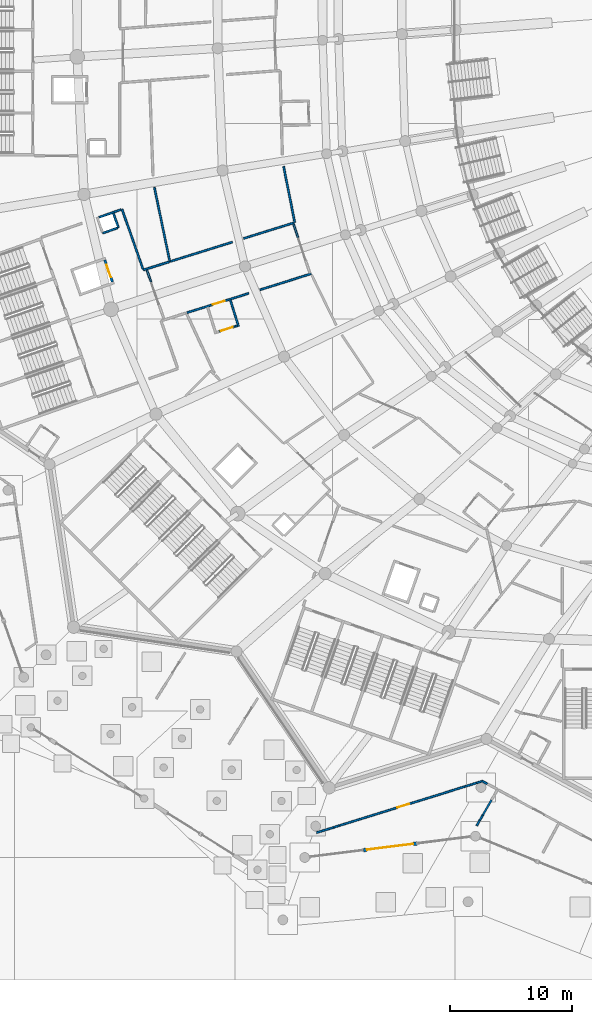
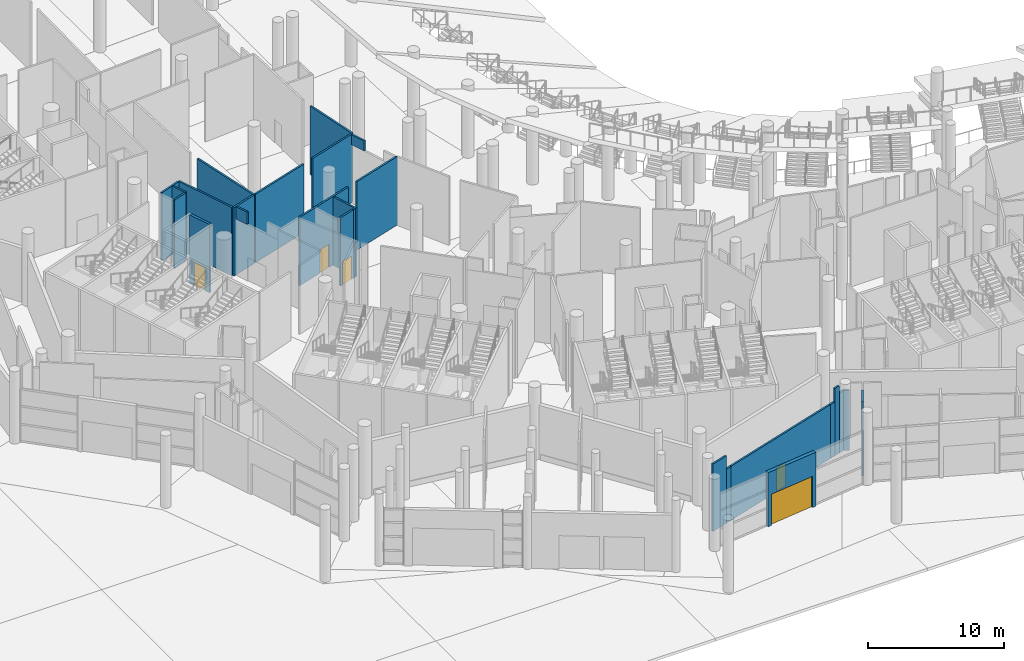
# One storey, part 103 of 255: 28 walls, 5 doors, 5 openings.
"""IFC4 building model written with IfcOpenShell, lengths in metres."""

from ifc_helpers import new_model, si_unit, direction, frame, frame_2d, origin, place, context, subcontext, project, spatial, rectangle, extrude, material, layer, layer_set, type_object, element, fill, save


model = new_model("IFC4")

# Units and contexts
model_context = context("Model", 3, precision=1e-05, world=origin(), true_north=direction((0.0, 1.0)))
body_context = subcontext(model_context, "Body", "Model", "MODEL_VIEW")
ifc_project = project(units=[si_unit("LENGTHUNIT", "METRE"), si_unit("AREAUNIT", "SQUARE_METRE"), si_unit("VOLUMEUNIT", "CUBIC_METRE"), si_unit("PLANEANGLEUNIT", "RADIAN"), si_unit("MASSUNIT", "GRAM", prefix="KILO")], contexts=[model_context])

# Site, building, storey
site_placement = place(None, origin())
site = spatial("IfcSite", under=ifc_project, at=site_placement, CompositionType="ELEMENT")
building_placement = place(site_placement, origin())
building = spatial("IfcBuilding", under=site, at=building_placement, Name="Meseta Stadium", CompositionType="ELEMENT")
storey_placement = place(building_placement, origin())
storey = spatial("IfcBuildingStorey", under=building, at=storey_placement, Name="L00", CompositionType="ELEMENT", Elevation=0.0)

# Wall, opening, door
ifc_material_1 = material(Name="Concrete C40/50", Category="concrete")
ifc_layer_1 = layer(ifc_material_1, 0.199951171875)
ifc_layer_set_1 = layer_set([ifc_layer_1], Name="Core shaft wall 200")
wall_type_1 = type_object("IfcWallType", Name="Core shaft wall 200", PredefinedType="SHEAR", material=ifc_layer_set_1)
wall_1_placement = place(storey_placement, frame((-82.62939453125, -59.162109375, 0.0), z_axis=(0.0, 0.0, 1.0), x_axis=(0.330224505327, -0.943902418729, 0.0)))
wall_1 = element("IfcWall", 1, at=wall_1_placement, inside=storey, type_object=wall_type_1, Name="Core 20 L00 lift shaft front wall", PredefinedType="SHEAR", context=body_context, shape_type="SweptSolid", body=[
    extrude(rectangle(XDim=1.900146484375, YDim=0.199951171875, at=frame_2d((0.9501953125, 0.0))), origin(), (0.0, 0.0, 1.0), 6.14990234375),
])
opening_1_placement = place(wall_1_placement, frame((0.39990234375, 0.0, 0.0)))
opening_1 = element("IfcOpeningElement", 2, at=opening_1_placement, cuts=wall_1, Name="Opening LD110", PredefinedType="OPENING", context=body_context, shape_type="SweptSolid", body=[
    extrude(rectangle(XDim=1.10009765625, YDim=2.10009765625, at=frame_2d((0.550048828125, 1.050048828125))), frame((0.0, 0.10986328125, 0.0), z_axis=(0.0, -1.0, 0.0), x_axis=(1.0, 0.0, 0.0)), (0.0, 0.0, 1.0), 0.219970703125),
])
ifc_material_2 = material(Name="Steel", Category="steel")
door_type_1 = type_object("IfcDoorType", Name="Lift landing door 1100x2100", OperationType="SLIDING_TO_LEFT", PredefinedType="DOOR", material=ifc_material_2)
door_1_placement = place(opening_1_placement, origin())
door_1 = element("IfcDoor", 3, at=door_1_placement, inside=storey, type_object=door_type_1, Name="Lift landing door LD110", OperationType="SLIDING_TO_RIGHT", OverallHeight=2.10009765625, OverallWidth=1.10009765625, PredefinedType="DOOR", context=body_context, shape_type="SweptSolid", body=[
    extrude(rectangle(XDim=1.10009765625, YDim=2.10009765625, at=frame_2d((0.550048828125, 1.050048828125))), frame((0.0, 0.02490234375, 0.0), z_axis=(0.0, -1.0, 0.0), x_axis=(1.0, 0.0, 0.0)), (0.0, 0.0, 1.0), 0.050048828125),
])
fill(opening_1, door_1)

# Walls
ifc_material_3 = material(Name="Masonry blockwork", Category="masonry")
ifc_layer_2 = layer(ifc_material_3, 0.14990234375)
ifc_layer_set_2 = layer_set([ifc_layer_2], Name="Partition 150")
wall_type_2 = type_object("IfcWallType", Name="Partition 150", PredefinedType="PARTITIONING", material=ifc_layer_set_2)
wall_2_placement = place(storey_placement, frame((-77.314453125, -59.29833984375, 0.0), z_axis=(0.0, 0.0, 1.0), x_axis=(-0.202912951915, 0.979196779991, 0.0)))
element("IfcWall", 4, at=wall_2_placement, inside=storey, type_object=wall_type_2, Name="Partition L00 L00-cell18-1-0", PredefinedType="PARTITIONING", context=body_context, shape_type="SweptSolid", body=[
    extrude(rectangle(XDim=6.19873046875, YDim=0.14990234375, at=frame_2d((3.099365234375, 0.0))), origin(), (0.0, 0.0, 1.0), 6.14990234375),
])
wall_3_placement = place(storey_placement, frame((-68.01416015625, -51.51806640625, 0.0), z_axis=(0.0, 0.0, 1.0), x_axis=(0.194848838481, -0.980833283562, 0.0)))
element("IfcWall", 5, at=wall_3_placement, inside=storey, type_object=wall_type_2, Name="Partition L00 L00-cell18-1-0", PredefinedType="PARTITIONING", context=body_context, shape_type="SweptSolid", body=[
    extrude(rectangle(XDim=4.668701171875, YDim=0.14990234375, at=frame_2d((2.33447265625, 0.0))), origin(), (0.0, 0.0, 1.0), 6.14990234375),
])
wall_4_placement = place(storey_placement, frame((-67.176513671875, -56.11962890625, 0.0), z_axis=(0.0, 0.0, 1.0), x_axis=(-0.954194783193, -0.299186088795, 0.0)))
element("IfcWall", 6, at=wall_4_placement, inside=storey, type_object=wall_type_2, Name="Partition L00 L00-cell18-1-0", PredefinedType="PARTITIONING", context=body_context, shape_type="SweptSolid", body=[
    extrude(rectangle(XDim=4.302001953125, YDim=0.14990234375, at=frame_2d((2.15087890625, 0.0))), origin(), (0.0, 0.0, 1.0), 6.14990234375),
])
wall_5_placement = place(storey_placement, frame((-72.209716796875, -57.69775390625, 0.0), z_axis=(0.0, 0.0, 1.0), x_axis=(-0.954205312056, -0.299152507001, 0.0)))
element("IfcWall", 7, at=wall_5_placement, inside=storey, type_object=wall_type_2, Name="Partition L00 L00-cell18-1-0", PredefinedType="PARTITIONING", context=body_context, shape_type="SweptSolid", body=[
    extrude(rectangle(XDim=5.2744140625, YDim=0.14990234375, at=frame_2d((2.63720703125, 0.0))), origin(), (0.0, 0.0, 1.0), 6.14990234375),
])
wall_6_placement = place(storey_placement, frame((-77.3623046875, -59.313232421875, 0.0), z_axis=(0.0, 0.0, 1.0), x_axis=(-0.954198139725, -0.299175383588, 0.0)))
element("IfcWall", 8, at=wall_6_placement, inside=storey, type_object=wall_type_2, Name="Partition L00 L00-cell18-2-0", PredefinedType="PARTITIONING", context=body_context, shape_type="SweptSolid", body=[
    extrude(rectangle(XDim=2.222900390625, YDim=0.14990234375, at=frame_2d((1.111328125, 0.0))), origin(), (0.0, 0.0, 1.0), 6.14990234375),
])
wall_7_placement = place(storey_placement, frame((-79.508056640625, -59.907470703125, 0.0), z_axis=(0.0, 0.0, 1.0), x_axis=(-0.330291692253, 0.943878910681, 0.0)))
element("IfcWall", 9, at=wall_7_placement, inside=storey, type_object=wall_type_2, Name="Partition L00 L00-cell18-2-0", PredefinedType="PARTITIONING", context=body_context, shape_type="SweptSolid", body=[
    extrude(rectangle(XDim=5.1845703125, YDim=0.14990234375, at=frame_2d((2.59228515625, 0.0))), origin(), (0.0, 0.0, 1.0), 6.14990234375),
])
wall_8_placement = place(storey_placement, frame((-81.291259765625, -55.038818359375, 0.0), z_axis=(0.0, 0.0, 1.0), x_axis=(-0.943910062753, -0.330202655097, 0.0)))
element("IfcWall", 10, at=wall_8_placement, inside=storey, type_object=wall_type_2, Name="Partition L00 L00-cell18-2-0", PredefinedType="PARTITIONING", context=body_context, shape_type="SweptSolid", body=[
    extrude(rectangle(XDim=1.91357421875, YDim=0.14990234375, at=frame_2d((0.956787109375, 0.0))), origin(), (0.0, 0.0, 1.0), 6.14990234375),
])

# Wall, opening, door
wall_9_placement = place(storey_placement, frame((-75.896484375, -63.46484375, 0.0), z_axis=(0.0, 0.0, 1.0), x_axis=(0.954206671626, 0.29914817035, 0.0)))
wall_9 = element("IfcWall", 11, at=wall_9_placement, inside=storey, type_object=wall_type_2, Name="Partition L00 L00-cell19-1-0", PredefinedType="PARTITIONING", context=body_context, shape_type="SweptSolid", body=[
    extrude(rectangle(XDim=5.268798828125, YDim=0.14990234375, at=frame_2d((2.63427734375, 0.0))), origin(), (0.0, 0.0, 1.0), 6.14990234375),
])
opening_2_placement = place(wall_9_placement, frame((2.199951171875, 0.0, 0.0)))
opening_2 = element("IfcOpeningElement", 12, at=opening_2_placement, cuts=wall_9, Name="Opening D591", PredefinedType="OPENING", context=body_context, shape_type="SweptSolid", body=[
    extrude(rectangle(XDim=1.0, YDim=2.10009765625, at=frame_2d((0.5, 1.050048828125))), frame((0.0, 0.0849609375, 0.0), z_axis=(0.0, -1.0, 0.0), x_axis=(1.0, 0.0, 0.0)), (0.0, 0.0, 1.0), 0.169921875),
])
ifc_material_4 = material(Name="Steel", Category="steel")
door_type_2 = type_object("IfcDoorType", Name="Fire door 1000x2100 EI2 60", OperationType="NOTDEFINED", PredefinedType="DOOR", material=ifc_material_4)
door_2_placement = place(opening_2_placement, origin())
door_2 = element("IfcDoor", 13, at=door_2_placement, inside=storey, type_object=door_type_2, Name="Door D591", OperationType="SINGLE_SWING_LEFT", OverallHeight=2.10009765625, OverallWidth=1.0, PredefinedType="DOOR", context=body_context, shape_type="SweptSolid", body=[
    extrude(rectangle(XDim=1.0, YDim=2.10009765625, at=frame_2d((0.5, 1.050048828125))), frame((0.0, 0.02490234375, 0.0), z_axis=(0.0, -1.0, 0.0), x_axis=(1.0, 0.0, 0.0)), (0.0, 0.0, 1.0), 0.050048828125),
])
fill(opening_2, door_2)

# Walls
wall_10_placement = place(storey_placement, frame((-69.941650390625, -61.597900390625, 0.0), z_axis=(0.0, 0.0, 1.0), x_axis=(0.954192437986, 0.299193568262, 0.0)))
element("IfcWall", 14, at=wall_10_placement, inside=storey, type_object=wall_type_2, Name="Partition L00 L00-cell19-1-0", PredefinedType="PARTITIONING", context=body_context, shape_type="SweptSolid", body=[
    extrude(rectangle(XDim=4.372802734375, YDim=0.14990234375, at=frame_2d((2.1865234375, 0.0))), origin(), (0.0, 0.0, 1.0), 6.14990234375),
])
for number, where, z_axis, x_axis, name in (
    (15, (-52.232421875, -105.38037109375, 0.0), (0.0, 0.0, 1.0), (0.499968438888, 0.866043624834, 0.0), "Partition L00 L00-ring21-0b1"),
    (16, (-51.989013671875, -104.958740234375, 0.0), (0.0, 0.0, 1.0), (0.500937435961, 0.865483497967, 0.0), "Partition L00 L00-ring21-0b1"),
):
    element("IfcWall", number, at=place(storey_placement, frame(where, z_axis=z_axis, x_axis=x_axis)), inside=storey, type_object=wall_type_2, Name=name, PredefinedType="PARTITIONING", context=body_context, shape_type="SweptSolid", body=[
        extrude(rectangle(XDim=0.48681640625, YDim=0.14990234375, at=frame_2d((0.243408203125, 0.0))), origin(), (0.0, 0.0, 1.0), 5.39990234375),
    ])
wall_11_placement = place(storey_placement, frame((-51.7451171875, -104.537353515625, 0.0), z_axis=(0.0, 0.0, 1.0), x_axis=(0.50036393874, 0.865815181669, 0.0)))
element("IfcWall", 17, at=wall_11_placement, inside=storey, type_object=wall_type_2, Name="Partition L00 L00-ring21-0b1", PredefinedType="PARTITIONING", context=body_context, shape_type="SweptSolid", body=[
    extrude(rectangle(XDim=1.46044921875, YDim=0.14990234375, at=frame_2d((0.730224609375, 0.0))), origin(), (0.0, 0.0, 1.0), 6.050048828125),
])
wall_12_placement = place(storey_placement, frame((-65.31591796875, -105.958984375, 0.0), z_axis=(0.0, 0.0, 1.0), x_axis=(0.954867270895, 0.297032818008, 0.0)))
element("IfcWall", 18, at=wall_12_placement, inside=storey, type_object=wall_type_2, Name="Partition L00 L00-ring21-0w", PredefinedType="PARTITIONING", context=body_context, shape_type="SweptSolid", body=[
    extrude(rectangle(XDim=1.46630859375, YDim=0.14990234375, at=frame_2d((0.733154296875, 0.0))), origin(), (0.0, 0.0, 1.0), 6.050048828125),
])
wall_13_placement = place(storey_placement, frame((-63.915771484375, -105.5234375, 0.0), z_axis=(0.0, 0.0, 1.0), x_axis=(0.954976336525, 0.296681979025, 0.0)))
element("IfcWall", 19, at=wall_13_placement, inside=storey, type_object=wall_type_2, Name="Partition L00 L00-ring21-0w", PredefinedType="PARTITIONING", context=body_context, shape_type="SweptSolid", body=[
    extrude(rectangle(XDim=0.48876953125, YDim=0.14990234375, at=frame_2d((0.244384765625, 0.0))), origin(), (0.0, 0.0, 1.0), 4.85009765625),
])

# Wall, opening, door
wall_14_placement = place(storey_placement, frame((-63.448974609375, -105.37841796875, 0.0), z_axis=(0.0, 0.0, 1.0), x_axis=(0.954916863786, 0.29687334548, 0.0)))
wall_14 = element("IfcWall", 20, at=wall_14_placement, inside=storey, type_object=wall_type_2, Name="Partition L00 L00-ring21-0w", PredefinedType="PARTITIONING", context=body_context, shape_type="SweptSolid", body=[
    extrude(rectangle(XDim=10.75341796875, YDim=0.14990234375, at=frame_2d((5.376708984375, 0.0))), origin(), (0.0, 0.0, 1.0), 4.85009765625),
])
opening_3_placement = place(wall_14_placement, frame((4.949951171875, 0.0, 0.0)))
opening_3 = element("IfcOpeningElement", 21, at=opening_3_placement, cuts=wall_14, Name="Opening D634", PredefinedType="OPENING", context=body_context, shape_type="SweptSolid", body=[
    extrude(rectangle(XDim=1.0, YDim=2.10009765625, at=frame_2d((0.5, 1.050048828125))), frame((0.0, 0.0849609375, 0.0), z_axis=(0.0, -1.0, 0.0), x_axis=(1.0, 0.0, 0.0)), (0.0, 0.0, 1.0), 0.169921875),
])
ifc_material_5 = material(Name="Timber", Category="wood")
door_type_3 = type_object("IfcDoorType", Name="Room door 1000x2100", OperationType="NOTDEFINED", PredefinedType="DOOR", material=ifc_material_5)
door_3_placement = place(opening_3_placement, origin())
door_3 = element("IfcDoor", 22, at=door_3_placement, inside=storey, type_object=door_type_3, Name="Door D634", OperationType="SINGLE_SWING_RIGHT", OverallHeight=2.10009765625, OverallWidth=1.0, PredefinedType="DOOR", context=body_context, shape_type="SweptSolid", body=[
    extrude(rectangle(XDim=1.0, YDim=2.10009765625, at=frame_2d((0.5, 1.050048828125))), frame((0.0, 0.02490234375, 0.0), z_axis=(0.0, -1.0, 0.0), x_axis=(1.0, 0.0, 0.0)), (0.0, 0.0, 1.0), 0.050048828125),
])
fill(opening_3, door_3)

# Walls
wall_15_placement = place(storey_placement, frame((-53.180419921875, -102.18603515625, 0.0), z_axis=(0.0, 0.0, 1.0), x_axis=(0.954976336525, 0.296681979025, 0.0)))
element("IfcWall", 23, at=wall_15_placement, inside=storey, type_object=wall_type_2, Name="Partition L00 L00-ring21-0w", PredefinedType="PARTITIONING", context=body_context, shape_type="SweptSolid", body=[
    extrude(rectangle(XDim=0.48876953125, YDim=0.14990234375, at=frame_2d((0.244384765625, 0.0))), origin(), (0.0, 0.0, 1.0), 4.85009765625),
])
wall_16_placement = place(storey_placement, frame((-52.713623046875, -102.041015625, 0.0), z_axis=(0.0, 0.0, 1.0), x_axis=(0.954976336525, 0.296681979025, 0.0)))
element("IfcWall", 24, at=wall_16_placement, inside=storey, type_object=wall_type_2, Name="Partition L00 L00-ring21-0w", PredefinedType="PARTITIONING", context=body_context, shape_type="SweptSolid", body=[
    extrude(rectangle(XDim=0.48876953125, YDim=0.14990234375, at=frame_2d((0.244384765625, 0.0))), origin(), (0.0, 0.0, 1.0), 6.050048828125),
])
wall_17_placement = place(storey_placement, frame((-52.246826171875, -101.89599609375, 0.0), z_axis=(0.0, 0.0, 1.0), x_axis=(0.954834738461, 0.297137379385, 0.0)))
element("IfcWall", 25, at=wall_17_placement, inside=storey, type_object=wall_type_2, Name="Partition L00 L00-ring21-0w", PredefinedType="PARTITIONING", context=body_context, shape_type="SweptSolid", body=[
    extrude(rectangle(XDim=0.48876953125, YDim=0.14990234375, at=frame_2d((0.244384765625, 0.0))), origin(), (0.0, 0.0, 1.0), 5.39990234375),
])
wall_18_placement = place(storey_placement, frame((-51.780029296875, -101.750732421875, 0.0), z_axis=(0.0, 0.0, 1.0), x_axis=(0.879012934335, -0.476797924988, 0.0)))
element("IfcWall", 26, at=wall_18_placement, inside=storey, type_object=wall_type_2, Name="Partition L00 L00-ring21-0w", PredefinedType="PARTITIONING", context=body_context, shape_type="SweptSolid", body=[
    extrude(rectangle(XDim=0.458251953125, YDim=0.14990234375, at=frame_2d((0.22900390625, 0.0))), origin(), (0.0, 0.0, 1.0), 5.39990234375),
])
wall_19_placement = place(storey_placement, frame((-82.78857421875, -56.96630859375, 0.0), z_axis=(0.0, 0.0, 1.0), x_axis=(0.943927004722, 0.330154221169, 0.0)))
element("IfcWall", 27, at=wall_19_placement, inside=storey, type_object=wall_type_2, Name="Pressurisation shaft wall L00 core 20", PredefinedType="PARTITIONING", context=body_context, shape_type="SweptSolid", body=[
    extrude(rectangle(XDim=1.27490234375, YDim=0.14990234375, at=frame_2d((0.637451171875, 0.0))), origin(), (0.0, 0.0, 1.0), 6.14990234375),
])
wall_20_placement = place(storey_placement, frame((-81.514404296875, -56.5205078125, 0.0), z_axis=(0.0, 0.0, 1.0), x_axis=(-0.33032430547, 0.943867497701, 0.0)))
element("IfcWall", 28, at=wall_20_placement, inside=storey, type_object=wall_type_2, Name="Pressurisation shaft wall L00 core 20", PredefinedType="PARTITIONING", context=body_context, shape_type="SweptSolid", body=[
    extrude(rectangle(XDim=1.2490234375, YDim=0.14990234375, at=frame_2d((0.62451171875, 0.0))), origin(), (0.0, 0.0, 1.0), 6.14990234375),
])
wall_21_placement = place(storey_placement, frame((-72.367431640625, -62.43701171875, 0.0), z_axis=(0.0, 0.0, 1.0), x_axis=(0.299152185908, -0.954205412721, 0.0)))
element("IfcWall", 29, at=wall_21_placement, inside=storey, type_object=wall_type_2, Name="Partition L00 L00-cell19-1-0 vestibule", PredefinedType="PARTITIONING", context=body_context, shape_type="SweptSolid", body=[
    extrude(rectangle(XDim=2.25, YDim=0.14990234375, at=frame_2d((1.125, 0.0))), origin(), (0.0, 0.0, 1.0), 6.14990234375),
])

# Wall, opening, door
wall_22_placement = place(storey_placement, frame((-73.315185546875, -65.013427734375, 0.0), z_axis=(0.0, 0.0, 1.0), x_axis=(0.954231413478, 0.299069238691, 0.0)))
wall_22 = element("IfcWall", 30, at=wall_22_placement, inside=storey, type_object=wall_type_2, Name="Partition L00 L00-cell19-1-0 vestibule", PredefinedType="PARTITIONING", context=body_context, shape_type="SweptSolid", body=[
    extrude(rectangle(XDim=1.39990234375, YDim=0.14990234375, at=frame_2d((0.699951171875, 0.0))), origin(), (0.0, 0.0, 1.0), 6.14990234375),
])
opening_4_placement = place(wall_22_placement, frame((0.199951171875, 0.0, 0.0)))
opening_4 = element("IfcOpeningElement", 31, at=opening_4_placement, cuts=wall_22, Name="Opening D855", PredefinedType="OPENING", context=body_context, shape_type="SweptSolid", body=[
    extrude(rectangle(XDim=1.0, YDim=2.10009765625, at=frame_2d((0.5, 1.050048828125))), frame((0.0, 0.0849609375, 0.0), z_axis=(0.0, -1.0, 0.0), x_axis=(1.0, 0.0, 0.0)), (0.0, 0.0, 1.0), 0.169921875),
])
door_4_placement = place(opening_4_placement, origin())
door_4 = element("IfcDoor", 32, at=door_4_placement, inside=storey, type_object=door_type_2, Name="Vestibule door L00 L00-cell19-1-0", OperationType="SINGLE_SWING_LEFT", OverallHeight=2.10009765625, OverallWidth=1.0, PredefinedType="DOOR", context=body_context, shape_type="SweptSolid", body=[
    extrude(rectangle(XDim=1.0, YDim=2.10009765625, at=frame_2d((0.5, 1.050048828125))), frame((0.0, 0.02490234375, 0.0), z_axis=(0.0, -1.0, 0.0), x_axis=(1.0, 0.0, 0.0)), (0.0, 0.0, 1.0), 0.050048828125),
])
fill(opening_4, door_4)

# Walls
wall_23_placement = place(storey_placement, frame((-71.979248046875, -64.5947265625, 0.0), z_axis=(0.0, 0.0, 1.0), x_axis=(0.954262592634, 0.298969738101, 0.0)))
element("IfcWall", 33, at=wall_23_placement, inside=storey, type_object=wall_type_2, Name="Partition L00 L00-cell19-1-0 vestibule", PredefinedType="PARTITIONING", context=body_context, shape_type="SweptSolid", body=[
    extrude(rectangle(XDim=0.199951171875, YDim=0.14990234375, at=frame_2d((0.10009765625, 0.0))), origin(), (0.0, 0.0, 1.0), 6.14990234375),
])
wall_24_placement = place(storey_placement, frame((-79.19482421875, -59.97021484375, 5.050048828125), z_axis=(0.0, 0.0, 1.0), x_axis=(0.330310872881, -0.943872198582, 0.0)))
element("IfcWall", 34, at=wall_24_placement, inside=storey, type_object=wall_type_2, Name="Escape corridor sector wall L00 core 20", PredefinedType="PARTITIONING", context=body_context, shape_type="SweptSolid", body=[
    extrude(rectangle(XDim=1.099853515625, YDim=0.14990234375, at=frame_2d((0.5498046875, 0.0))), origin(), (0.0, 0.0, 1.0), 1.099853515625),
])
wall_25_placement = place(storey_placement, frame((-67.205810546875, -56.20947265625, 5.25), z_axis=(0.0, 0.0, 1.0), x_axis=(0.314934829508, -0.949113298381, 0.0)))
element("IfcWall", 35, at=wall_25_placement, inside=storey, type_object=wall_type_2, Name="Escape corridor discharge wall L00 core 20", PredefinedType="PARTITIONING", context=body_context, shape_type="SweptSolid", body=[
    extrude(rectangle(XDim=1.24658203125, YDim=0.14990234375, at=frame_2d((0.623291015625, 0.0))), origin(), (0.0, 0.0, 1.0), 0.89990234375),
])

# Wall, opening, door
ifc_material_6 = material(Name="Precast concrete C40/50", Category="concrete")
ifc_layer_3 = layer(ifc_material_6, 0.300048828125)
ifc_layer_set_3 = layer_set([ifc_layer_3], Name="Ring facade panel wall 300")
wall_type_3 = type_object("IfcWallType", Name="Ring facade panel wall 300", PredefinedType="SOLIDWALL", material=ifc_layer_set_3)
wall_26_placement = place(storey_placement, frame((-57.13134765625, -106.843994140625, 0.0), z_axis=(0.0, 0.0, 1.0), x_axis=(-0.992266775423, -0.124123512645, 0.0)))
wall_26 = element("IfcWall", 36, at=wall_26_placement, inside=storey, type_object=wall_type_3, Name="Ring facade panel wall F42", PredefinedType="SOLIDWALL", context=body_context, shape_type="SweptSolid", body=[
    extrude(rectangle(XDim=4.39990234375, YDim=0.300048828125, at=frame_2d((2.199951171875, 0.0))), origin(), (0.0, 0.0, 1.0), 4.85009765625),
])
opening_5_placement = place(wall_26_placement, frame((0.300048828125, 0.0, 0.0)))
opening_5 = element("IfcOpeningElement", 37, at=opening_5_placement, cuts=wall_26, Name="Opening D962", PredefinedType="OPENING", context=body_context, shape_type="SweptSolid", body=[
    extrude(rectangle(XDim=3.800048828125, YDim=2.800048828125, at=frame_2d((1.89990234375, 1.39990234375))), frame((0.0, 0.159912109375, 0.0), z_axis=(0.0, -1.0, 0.0), x_axis=(1.0, 0.0, 0.0)), (0.0, 0.0, 1.0), 0.320068359375),
])
ifc_material_7 = material(Name="Steel", Category="steel")
door_type_4 = type_object("IfcDoorType", Name="Final exit door 3800x2800", OperationType="DOUBLE_DOOR_SINGLE_SWING", PredefinedType="DOOR", material=ifc_material_7)
door_5_placement = place(opening_5_placement, origin())
door_5 = element("IfcDoor", 38, at=door_5_placement, inside=storey, type_object=door_type_4, Name="Final exit F27", OperationType="DOUBLE_DOOR_SINGLE_SWING", OverallHeight=2.800048828125, OverallWidth=3.800048828125, PredefinedType="DOOR", context=body_context, shape_type="SweptSolid", body=[
    extrude(rectangle(XDim=3.800048828125, YDim=2.800048828125, at=frame_2d((1.89990234375, 1.39990234375))), frame((0.0, 0.02490234375, 0.0), z_axis=(0.0, -1.0, 0.0), x_axis=(1.0, 0.0, 0.0)), (0.0, 0.0, 1.0), 0.050048828125),
])
fill(opening_5, door_5)

save(model, "model.ifc")
